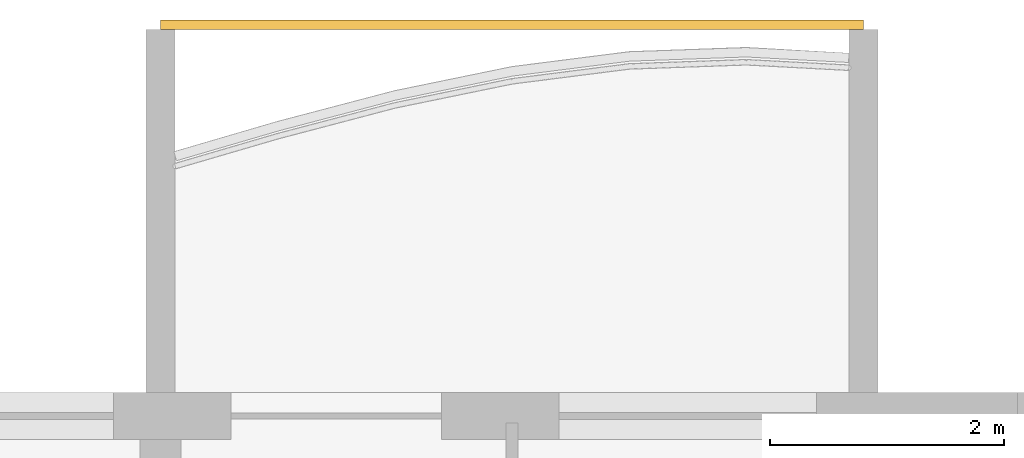
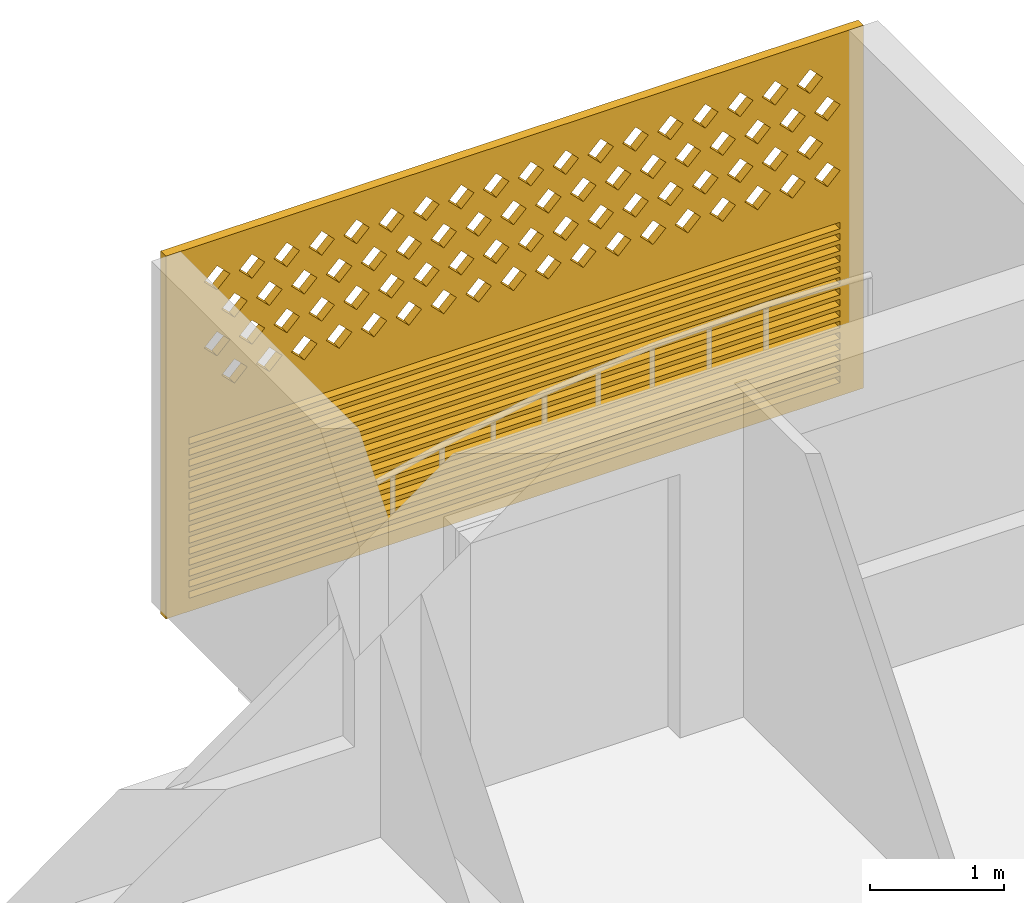
# One storey, part 24 of 24: 1 covering.
"""IFC4 building model written with IfcOpenShell, lengths in metres."""

from ifc_helpers import new_model, si_unit, direction, frame, origin, place, context, subcontext, project, spatial, polyline, outline, extrude, source, transform, mapped, material, material_profile, profile_set, type_object, element, save


model = new_model("IFC4")

# Units and contexts
model_context = context("Model", 3, precision=1e-05, world=origin(), true_north=direction((0.0, 1.0)))
body_context = subcontext(model_context, "Body", "Model", "MODEL_VIEW")
ifc_project = project(units=[si_unit("LENGTHUNIT", "METRE"), si_unit("AREAUNIT", "SQUARE_METRE"), si_unit("VOLUMEUNIT", "CUBIC_METRE"), si_unit("PLANEANGLEUNIT", "RADIAN"), si_unit("MASSUNIT", "GRAM", prefix="KILO")], contexts=[model_context])

# Site, building, storey
site_placement = place(None, origin())
site = spatial("IfcSite", under=ifc_project, at=site_placement, CompositionType="ELEMENT")
building_placement = place(site_placement, origin())
building = spatial("IfcBuilding", under=site, at=building_placement, Name="Poui Terraces", CompositionType="ELEMENT")
storey_placement = place(building_placement, frame((0.0, 0.0, 112.5)))
storey = spatial("IfcBuildingStorey", under=building, at=storey_placement, Name="L31", CompositionType="ELEMENT", Elevation=112.5)

# Covering
ifc_material = material(Name="Terracotta screen", Category="masonry")
ifc_material_profile = material_profile(ifc_material, outline(polyline([(-3.0, -1.64990234375), (3.0, -1.64990234375), (3.0, 1.64990234375), (-3.0, 1.64990234375), (-3.0, -1.64990234375)]), holes=[polyline([(-2.800048828125, 0.39990234375), (-2.68994140625, 0.2900390625), (-2.580078125, 0.39990234375), (-2.68994140625, 0.510009765625), (-2.800048828125, 0.39990234375)]), polyline([(-2.5, 0.39990234375), (-2.389892578125, 0.2900390625), (-2.280029296875, 0.39990234375), (-2.389892578125, 0.510009765625), (-2.5, 0.39990234375)]), polyline([(-2.199951171875, 0.39990234375), (-2.090087890625, 0.2900390625), (-1.97998046875, 0.39990234375), (-2.090087890625, 0.510009765625), (-2.199951171875, 0.39990234375)]), polyline([(-1.89990234375, 0.39990234375), (-1.7900390625, 0.2900390625), (-1.679931640625, 0.39990234375), (-1.7900390625, 0.510009765625), (-1.89990234375, 0.39990234375)]), polyline([(-1.60009765625, 0.39990234375), (-1.489990234375, 0.2900390625), (-1.3798828125, 0.39990234375), (-1.489990234375, 0.510009765625), (-1.60009765625, 0.39990234375)]), polyline([(-1.300048828125, 0.39990234375), (-1.18994140625, 0.2900390625), (-1.080078125, 0.39990234375), (-1.18994140625, 0.510009765625), (-1.300048828125, 0.39990234375)]), polyline([(-1.0, 0.39990234375), (-0.889892578125, 0.2900390625), (-0.780029296875, 0.39990234375), (-0.889892578125, 0.510009765625), (-1.0, 0.39990234375)]), polyline([(-0.699951171875, 0.39990234375), (-0.590087890625, 0.2900390625), (-0.47998046875, 0.39990234375), (-0.590087890625, 0.510009765625), (-0.699951171875, 0.39990234375)]), polyline([(-0.39990234375, 0.39990234375), (-0.2900390625, 0.2900390625), (-0.179931640625, 0.39990234375), (-0.2900390625, 0.510009765625), (-0.39990234375, 0.39990234375)]), polyline([(-0.10009765625, 0.39990234375), (0.010009765625, 0.2900390625), (0.1201171875, 0.39990234375), (0.010009765625, 0.510009765625), (-0.10009765625, 0.39990234375)]), polyline([(0.199951171875, 0.39990234375), (0.31005859375, 0.2900390625), (0.419921875, 0.39990234375), (0.31005859375, 0.510009765625), (0.199951171875, 0.39990234375)]), polyline([(0.5, 0.39990234375), (0.610107421875, 0.2900390625), (0.719970703125, 0.39990234375), (0.610107421875, 0.510009765625), (0.5, 0.39990234375)]), polyline([(0.800048828125, 0.39990234375), (0.909912109375, 0.2900390625), (1.02001953125, 0.39990234375), (0.909912109375, 0.510009765625), (0.800048828125, 0.39990234375)]), polyline([(1.10009765625, 0.39990234375), (1.2099609375, 0.2900390625), (1.320068359375, 0.39990234375), (1.2099609375, 0.510009765625), (1.10009765625, 0.39990234375)]), polyline([(1.39990234375, 0.39990234375), (1.510009765625, 0.2900390625), (1.6201171875, 0.39990234375), (1.510009765625, 0.510009765625), (1.39990234375, 0.39990234375)]), polyline([(1.699951171875, 0.39990234375), (1.81005859375, 0.2900390625), (1.919921875, 0.39990234375), (1.81005859375, 0.510009765625), (1.699951171875, 0.39990234375)]), polyline([(2.0, 0.39990234375), (2.110107421875, 0.2900390625), (2.219970703125, 0.39990234375), (2.110107421875, 0.510009765625), (2.0, 0.39990234375)]), polyline([(2.300048828125, 0.39990234375), (2.409912109375, 0.2900390625), (2.52001953125, 0.39990234375), (2.409912109375, 0.510009765625), (2.300048828125, 0.39990234375)]), polyline([(-2.64990234375, 0.699951171875), (-2.5400390625, 0.590087890625), (-2.429931640625, 0.699951171875), (-2.5400390625, 0.81005859375), (-2.64990234375, 0.699951171875)]), polyline([(-2.35009765625, 0.699951171875), (-2.239990234375, 0.590087890625), (-2.1298828125, 0.699951171875), (-2.239990234375, 0.81005859375), (-2.35009765625, 0.699951171875)]), polyline([(-2.050048828125, 0.699951171875), (-1.93994140625, 0.590087890625), (-1.830078125, 0.699951171875), (-1.93994140625, 0.81005859375), (-2.050048828125, 0.699951171875)]), polyline([(-1.75, 0.699951171875), (-1.639892578125, 0.590087890625), (-1.530029296875, 0.699951171875), (-1.639892578125, 0.81005859375), (-1.75, 0.699951171875)]), polyline([(-1.449951171875, 0.699951171875), (-1.340087890625, 0.590087890625), (-1.22998046875, 0.699951171875), (-1.340087890625, 0.81005859375), (-1.449951171875, 0.699951171875)]), polyline([(-1.14990234375, 0.699951171875), (-1.0400390625, 0.590087890625), (-0.929931640625, 0.699951171875), (-1.0400390625, 0.81005859375), (-1.14990234375, 0.699951171875)]), polyline([(-0.85009765625, 0.699951171875), (-0.739990234375, 0.590087890625), (-0.6298828125, 0.699951171875), (-0.739990234375, 0.81005859375), (-0.85009765625, 0.699951171875)]), polyline([(-0.550048828125, 0.699951171875), (-0.43994140625, 0.590087890625), (-0.330078125, 0.699951171875), (-0.43994140625, 0.81005859375), (-0.550048828125, 0.699951171875)]), polyline([(-0.25, 0.699951171875), (-0.139892578125, 0.590087890625), (-0.030029296875, 0.699951171875), (-0.139892578125, 0.81005859375), (-0.25, 0.699951171875)]), polyline([(0.050048828125, 0.699951171875), (0.159912109375, 0.590087890625), (0.27001953125, 0.699951171875), (0.159912109375, 0.81005859375), (0.050048828125, 0.699951171875)]), polyline([(0.35009765625, 0.699951171875), (0.4599609375, 0.590087890625), (0.570068359375, 0.699951171875), (0.4599609375, 0.81005859375), (0.35009765625, 0.699951171875)]), polyline([(0.64990234375, 0.699951171875), (0.760009765625, 0.590087890625), (0.8701171875, 0.699951171875), (0.760009765625, 0.81005859375), (0.64990234375, 0.699951171875)]), polyline([(0.949951171875, 0.699951171875), (1.06005859375, 0.590087890625), (1.169921875, 0.699951171875), (1.06005859375, 0.81005859375), (0.949951171875, 0.699951171875)]), polyline([(1.25, 0.699951171875), (1.360107421875, 0.590087890625), (1.469970703125, 0.699951171875), (1.360107421875, 0.81005859375), (1.25, 0.699951171875)]), polyline([(1.550048828125, 0.699951171875), (1.659912109375, 0.590087890625), (1.77001953125, 0.699951171875), (1.659912109375, 0.81005859375), (1.550048828125, 0.699951171875)]), polyline([(1.85009765625, 0.699951171875), (1.9599609375, 0.590087890625), (2.070068359375, 0.699951171875), (1.9599609375, 0.81005859375), (1.85009765625, 0.699951171875)]), polyline([(2.14990234375, 0.699951171875), (2.260009765625, 0.590087890625), (2.3701171875, 0.699951171875), (2.260009765625, 0.81005859375), (2.14990234375, 0.699951171875)]), polyline([(2.449951171875, 0.699951171875), (2.56005859375, 0.590087890625), (2.669921875, 0.699951171875), (2.56005859375, 0.81005859375), (2.449951171875, 0.699951171875)]), polyline([(-2.800048828125, 1.0), (-2.68994140625, 0.889892578125), (-2.580078125, 1.0), (-2.68994140625, 1.110107421875), (-2.800048828125, 1.0)]), polyline([(-2.5, 1.0), (-2.389892578125, 0.889892578125), (-2.280029296875, 1.0), (-2.389892578125, 1.110107421875), (-2.5, 1.0)]), polyline([(-2.199951171875, 1.0), (-2.090087890625, 0.889892578125), (-1.97998046875, 1.0), (-2.090087890625, 1.110107421875), (-2.199951171875, 1.0)]), polyline([(-1.89990234375, 1.0), (-1.7900390625, 0.889892578125), (-1.679931640625, 1.0), (-1.7900390625, 1.110107421875), (-1.89990234375, 1.0)]), polyline([(-1.60009765625, 1.0), (-1.489990234375, 0.889892578125), (-1.3798828125, 1.0), (-1.489990234375, 1.110107421875), (-1.60009765625, 1.0)]), polyline([(-1.300048828125, 1.0), (-1.18994140625, 0.889892578125), (-1.080078125, 1.0), (-1.18994140625, 1.110107421875), (-1.300048828125, 1.0)]), polyline([(-1.0, 1.0), (-0.889892578125, 0.889892578125), (-0.780029296875, 1.0), (-0.889892578125, 1.110107421875), (-1.0, 1.0)]), polyline([(-0.699951171875, 1.0), (-0.590087890625, 0.889892578125), (-0.47998046875, 1.0), (-0.590087890625, 1.110107421875), (-0.699951171875, 1.0)]), polyline([(-0.39990234375, 1.0), (-0.2900390625, 0.889892578125), (-0.179931640625, 1.0), (-0.2900390625, 1.110107421875), (-0.39990234375, 1.0)]), polyline([(-0.10009765625, 1.0), (0.010009765625, 0.889892578125), (0.1201171875, 1.0), (0.010009765625, 1.110107421875), (-0.10009765625, 1.0)]), polyline([(0.199951171875, 1.0), (0.31005859375, 0.889892578125), (0.419921875, 1.0), (0.31005859375, 1.110107421875), (0.199951171875, 1.0)]), polyline([(0.5, 1.0), (0.610107421875, 0.889892578125), (0.719970703125, 1.0), (0.610107421875, 1.110107421875), (0.5, 1.0)]), polyline([(0.800048828125, 1.0), (0.909912109375, 0.889892578125), (1.02001953125, 1.0), (0.909912109375, 1.110107421875), (0.800048828125, 1.0)]), polyline([(1.10009765625, 1.0), (1.2099609375, 0.889892578125), (1.320068359375, 1.0), (1.2099609375, 1.110107421875), (1.10009765625, 1.0)]), polyline([(1.39990234375, 1.0), (1.510009765625, 0.889892578125), (1.6201171875, 1.0), (1.510009765625, 1.110107421875), (1.39990234375, 1.0)]), polyline([(1.699951171875, 1.0), (1.81005859375, 0.889892578125), (1.919921875, 1.0), (1.81005859375, 1.110107421875), (1.699951171875, 1.0)]), polyline([(2.0, 1.0), (2.110107421875, 0.889892578125), (2.219970703125, 1.0), (2.110107421875, 1.110107421875), (2.0, 1.0)]), polyline([(2.300048828125, 1.0), (2.409912109375, 0.889892578125), (2.52001953125, 1.0), (2.409912109375, 1.110107421875), (2.300048828125, 1.0)]), polyline([(-2.64990234375, 1.300048828125), (-2.5400390625, 1.18994140625), (-2.429931640625, 1.300048828125), (-2.5400390625, 1.409912109375), (-2.64990234375, 1.300048828125)]), polyline([(-2.35009765625, 1.300048828125), (-2.239990234375, 1.18994140625), (-2.1298828125, 1.300048828125), (-2.239990234375, 1.409912109375), (-2.35009765625, 1.300048828125)]), polyline([(-2.050048828125, 1.300048828125), (-1.93994140625, 1.18994140625), (-1.830078125, 1.300048828125), (-1.93994140625, 1.409912109375), (-2.050048828125, 1.300048828125)]), polyline([(-1.75, 1.300048828125), (-1.639892578125, 1.18994140625), (-1.530029296875, 1.300048828125), (-1.639892578125, 1.409912109375), (-1.75, 1.300048828125)]), polyline([(-1.449951171875, 1.300048828125), (-1.340087890625, 1.18994140625), (-1.22998046875, 1.300048828125), (-1.340087890625, 1.409912109375), (-1.449951171875, 1.300048828125)]), polyline([(-1.14990234375, 1.300048828125), (-1.0400390625, 1.18994140625), (-0.929931640625, 1.300048828125), (-1.0400390625, 1.409912109375), (-1.14990234375, 1.300048828125)]), polyline([(-0.85009765625, 1.300048828125), (-0.739990234375, 1.18994140625), (-0.6298828125, 1.300048828125), (-0.739990234375, 1.409912109375), (-0.85009765625, 1.300048828125)]), polyline([(-0.550048828125, 1.300048828125), (-0.43994140625, 1.18994140625), (-0.330078125, 1.300048828125), (-0.43994140625, 1.409912109375), (-0.550048828125, 1.300048828125)]), polyline([(-0.25, 1.300048828125), (-0.139892578125, 1.18994140625), (-0.030029296875, 1.300048828125), (-0.139892578125, 1.409912109375), (-0.25, 1.300048828125)]), polyline([(0.050048828125, 1.300048828125), (0.159912109375, 1.18994140625), (0.27001953125, 1.300048828125), (0.159912109375, 1.409912109375), (0.050048828125, 1.300048828125)]), polyline([(0.35009765625, 1.300048828125), (0.4599609375, 1.18994140625), (0.570068359375, 1.300048828125), (0.4599609375, 1.409912109375), (0.35009765625, 1.300048828125)]), polyline([(0.64990234375, 1.300048828125), (0.760009765625, 1.18994140625), (0.8701171875, 1.300048828125), (0.760009765625, 1.409912109375), (0.64990234375, 1.300048828125)]), polyline([(0.949951171875, 1.300048828125), (1.06005859375, 1.18994140625), (1.169921875, 1.300048828125), (1.06005859375, 1.409912109375), (0.949951171875, 1.300048828125)]), polyline([(1.25, 1.300048828125), (1.360107421875, 1.18994140625), (1.469970703125, 1.300048828125), (1.360107421875, 1.409912109375), (1.25, 1.300048828125)]), polyline([(1.550048828125, 1.300048828125), (1.659912109375, 1.18994140625), (1.77001953125, 1.300048828125), (1.659912109375, 1.409912109375), (1.550048828125, 1.300048828125)]), polyline([(1.85009765625, 1.300048828125), (1.9599609375, 1.18994140625), (2.070068359375, 1.300048828125), (1.9599609375, 1.409912109375), (1.85009765625, 1.300048828125)]), polyline([(2.14990234375, 1.300048828125), (2.260009765625, 1.18994140625), (2.3701171875, 1.300048828125), (2.260009765625, 1.409912109375), (2.14990234375, 1.300048828125)]), polyline([(2.449951171875, 1.300048828125), (2.56005859375, 1.18994140625), (2.669921875, 1.300048828125), (2.56005859375, 1.409912109375), (2.449951171875, 1.300048828125)]), polyline([(-2.800048828125, -1.530029296875), (2.800048828125, -1.530029296875), (2.800048828125, -1.469970703125), (-2.800048828125, -1.469970703125), (-2.800048828125, -1.530029296875)]), polyline([(-2.800048828125, -1.429931640625), (2.800048828125, -1.429931640625), (2.800048828125, -1.3701171875), (-2.800048828125, -1.3701171875), (-2.800048828125, -1.429931640625)]), polyline([(-2.800048828125, -1.330078125), (2.800048828125, -1.330078125), (2.800048828125, -1.27001953125), (-2.800048828125, -1.27001953125), (-2.800048828125, -1.330078125)]), polyline([(-2.800048828125, -1.22998046875), (2.800048828125, -1.22998046875), (2.800048828125, -1.169921875), (-2.800048828125, -1.169921875), (-2.800048828125, -1.22998046875)]), polyline([(-2.800048828125, -1.1298828125), (2.800048828125, -1.1298828125), (2.800048828125, -1.070068359375), (-2.800048828125, -1.070068359375), (-2.800048828125, -1.1298828125)]), polyline([(-2.800048828125, -1.030029296875), (2.800048828125, -1.030029296875), (2.800048828125, -0.969970703125), (-2.800048828125, -0.969970703125), (-2.800048828125, -1.030029296875)]), polyline([(-2.800048828125, -0.929931640625), (2.800048828125, -0.929931640625), (2.800048828125, -0.8701171875), (-2.800048828125, -0.8701171875), (-2.800048828125, -0.929931640625)]), polyline([(-2.800048828125, -0.830078125), (2.800048828125, -0.830078125), (2.800048828125, -0.77001953125), (-2.800048828125, -0.77001953125), (-2.800048828125, -0.830078125)]), polyline([(-2.800048828125, -0.72998046875), (2.800048828125, -0.72998046875), (2.800048828125, -0.669921875), (-2.800048828125, -0.669921875), (-2.800048828125, -0.72998046875)]), polyline([(-2.800048828125, -0.6298828125), (2.800048828125, -0.6298828125), (2.800048828125, -0.570068359375), (-2.800048828125, -0.570068359375), (-2.800048828125, -0.6298828125)]), polyline([(-2.800048828125, -0.530029296875), (2.800048828125, -0.530029296875), (2.800048828125, -0.469970703125), (-2.800048828125, -0.469970703125), (-2.800048828125, -0.530029296875)]), polyline([(-2.800048828125, -0.429931640625), (2.800048828125, -0.429931640625), (2.800048828125, -0.3701171875), (-2.800048828125, -0.3701171875), (-2.800048828125, -0.429931640625)]), polyline([(-2.800048828125, -0.330078125), (2.800048828125, -0.330078125), (2.800048828125, -0.27001953125), (-2.800048828125, -0.27001953125), (-2.800048828125, -0.330078125)]), polyline([(-2.800048828125, -0.22998046875), (2.800048828125, -0.22998046875), (2.800048828125, -0.169921875), (-2.800048828125, -0.169921875), (-2.800048828125, -0.22998046875)]), polyline([(-2.800048828125, -0.1298828125), (2.800048828125, -0.1298828125), (2.800048828125, -0.070068359375), (-2.800048828125, -0.070068359375), (-2.800048828125, -0.1298828125)])]), Name="TERRACOTTA SCREEN AND JALOUSIE LOUVRE 6000X3300")
ifc_profile_set = profile_set([ifc_material_profile], Name="Terracotta screen")
covering_type = type_object("IfcCoveringType", Name="TERRACOTTA SCREEN AND JALOUSIE LOUVRE 6000X3300", PredefinedType="CLADDING", material=ifc_profile_set)
shared_shape = source(origin(), body_context, "Body", "SweptSolid", [
    extrude(outline(polyline([(-3.0, -1.64990234375), (3.0, -1.64990234375), (3.0, 1.64990234375), (-3.0, 1.64990234375), (-3.0, -1.64990234375)]), holes=[polyline([(-2.800048828125, 0.39990234375), (-2.68994140625, 0.2900390625), (-2.580078125, 0.39990234375), (-2.68994140625, 0.510009765625), (-2.800048828125, 0.39990234375)]), polyline([(-2.5, 0.39990234375), (-2.389892578125, 0.2900390625), (-2.280029296875, 0.39990234375), (-2.389892578125, 0.510009765625), (-2.5, 0.39990234375)]), polyline([(-2.199951171875, 0.39990234375), (-2.090087890625, 0.2900390625), (-1.97998046875, 0.39990234375), (-2.090087890625, 0.510009765625), (-2.199951171875, 0.39990234375)]), polyline([(-1.89990234375, 0.39990234375), (-1.7900390625, 0.2900390625), (-1.679931640625, 0.39990234375), (-1.7900390625, 0.510009765625), (-1.89990234375, 0.39990234375)]), polyline([(-1.60009765625, 0.39990234375), (-1.489990234375, 0.2900390625), (-1.3798828125, 0.39990234375), (-1.489990234375, 0.510009765625), (-1.60009765625, 0.39990234375)]), polyline([(-1.300048828125, 0.39990234375), (-1.18994140625, 0.2900390625), (-1.080078125, 0.39990234375), (-1.18994140625, 0.510009765625), (-1.300048828125, 0.39990234375)]), polyline([(-1.0, 0.39990234375), (-0.889892578125, 0.2900390625), (-0.780029296875, 0.39990234375), (-0.889892578125, 0.510009765625), (-1.0, 0.39990234375)]), polyline([(-0.699951171875, 0.39990234375), (-0.590087890625, 0.2900390625), (-0.47998046875, 0.39990234375), (-0.590087890625, 0.510009765625), (-0.699951171875, 0.39990234375)]), polyline([(-0.39990234375, 0.39990234375), (-0.2900390625, 0.2900390625), (-0.179931640625, 0.39990234375), (-0.2900390625, 0.510009765625), (-0.39990234375, 0.39990234375)]), polyline([(-0.10009765625, 0.39990234375), (0.010009765625, 0.2900390625), (0.1201171875, 0.39990234375), (0.010009765625, 0.510009765625), (-0.10009765625, 0.39990234375)]), polyline([(0.199951171875, 0.39990234375), (0.31005859375, 0.2900390625), (0.419921875, 0.39990234375), (0.31005859375, 0.510009765625), (0.199951171875, 0.39990234375)]), polyline([(0.5, 0.39990234375), (0.610107421875, 0.2900390625), (0.719970703125, 0.39990234375), (0.610107421875, 0.510009765625), (0.5, 0.39990234375)]), polyline([(0.800048828125, 0.39990234375), (0.909912109375, 0.2900390625), (1.02001953125, 0.39990234375), (0.909912109375, 0.510009765625), (0.800048828125, 0.39990234375)]), polyline([(1.10009765625, 0.39990234375), (1.2099609375, 0.2900390625), (1.320068359375, 0.39990234375), (1.2099609375, 0.510009765625), (1.10009765625, 0.39990234375)]), polyline([(1.39990234375, 0.39990234375), (1.510009765625, 0.2900390625), (1.6201171875, 0.39990234375), (1.510009765625, 0.510009765625), (1.39990234375, 0.39990234375)]), polyline([(1.699951171875, 0.39990234375), (1.81005859375, 0.2900390625), (1.919921875, 0.39990234375), (1.81005859375, 0.510009765625), (1.699951171875, 0.39990234375)]), polyline([(2.0, 0.39990234375), (2.110107421875, 0.2900390625), (2.219970703125, 0.39990234375), (2.110107421875, 0.510009765625), (2.0, 0.39990234375)]), polyline([(2.300048828125, 0.39990234375), (2.409912109375, 0.2900390625), (2.52001953125, 0.39990234375), (2.409912109375, 0.510009765625), (2.300048828125, 0.39990234375)]), polyline([(-2.64990234375, 0.699951171875), (-2.5400390625, 0.590087890625), (-2.429931640625, 0.699951171875), (-2.5400390625, 0.81005859375), (-2.64990234375, 0.699951171875)]), polyline([(-2.35009765625, 0.699951171875), (-2.239990234375, 0.590087890625), (-2.1298828125, 0.699951171875), (-2.239990234375, 0.81005859375), (-2.35009765625, 0.699951171875)]), polyline([(-2.050048828125, 0.699951171875), (-1.93994140625, 0.590087890625), (-1.830078125, 0.699951171875), (-1.93994140625, 0.81005859375), (-2.050048828125, 0.699951171875)]), polyline([(-1.75, 0.699951171875), (-1.639892578125, 0.590087890625), (-1.530029296875, 0.699951171875), (-1.639892578125, 0.81005859375), (-1.75, 0.699951171875)]), polyline([(-1.449951171875, 0.699951171875), (-1.340087890625, 0.590087890625), (-1.22998046875, 0.699951171875), (-1.340087890625, 0.81005859375), (-1.449951171875, 0.699951171875)]), polyline([(-1.14990234375, 0.699951171875), (-1.0400390625, 0.590087890625), (-0.929931640625, 0.699951171875), (-1.0400390625, 0.81005859375), (-1.14990234375, 0.699951171875)]), polyline([(-0.85009765625, 0.699951171875), (-0.739990234375, 0.590087890625), (-0.6298828125, 0.699951171875), (-0.739990234375, 0.81005859375), (-0.85009765625, 0.699951171875)]), polyline([(-0.550048828125, 0.699951171875), (-0.43994140625, 0.590087890625), (-0.330078125, 0.699951171875), (-0.43994140625, 0.81005859375), (-0.550048828125, 0.699951171875)]), polyline([(-0.25, 0.699951171875), (-0.139892578125, 0.590087890625), (-0.030029296875, 0.699951171875), (-0.139892578125, 0.81005859375), (-0.25, 0.699951171875)]), polyline([(0.050048828125, 0.699951171875), (0.159912109375, 0.590087890625), (0.27001953125, 0.699951171875), (0.159912109375, 0.81005859375), (0.050048828125, 0.699951171875)]), polyline([(0.35009765625, 0.699951171875), (0.4599609375, 0.590087890625), (0.570068359375, 0.699951171875), (0.4599609375, 0.81005859375), (0.35009765625, 0.699951171875)]), polyline([(0.64990234375, 0.699951171875), (0.760009765625, 0.590087890625), (0.8701171875, 0.699951171875), (0.760009765625, 0.81005859375), (0.64990234375, 0.699951171875)]), polyline([(0.949951171875, 0.699951171875), (1.06005859375, 0.590087890625), (1.169921875, 0.699951171875), (1.06005859375, 0.81005859375), (0.949951171875, 0.699951171875)]), polyline([(1.25, 0.699951171875), (1.360107421875, 0.590087890625), (1.469970703125, 0.699951171875), (1.360107421875, 0.81005859375), (1.25, 0.699951171875)]), polyline([(1.550048828125, 0.699951171875), (1.659912109375, 0.590087890625), (1.77001953125, 0.699951171875), (1.659912109375, 0.81005859375), (1.550048828125, 0.699951171875)]), polyline([(1.85009765625, 0.699951171875), (1.9599609375, 0.590087890625), (2.070068359375, 0.699951171875), (1.9599609375, 0.81005859375), (1.85009765625, 0.699951171875)]), polyline([(2.14990234375, 0.699951171875), (2.260009765625, 0.590087890625), (2.3701171875, 0.699951171875), (2.260009765625, 0.81005859375), (2.14990234375, 0.699951171875)]), polyline([(2.449951171875, 0.699951171875), (2.56005859375, 0.590087890625), (2.669921875, 0.699951171875), (2.56005859375, 0.81005859375), (2.449951171875, 0.699951171875)]), polyline([(-2.800048828125, 1.0), (-2.68994140625, 0.889892578125), (-2.580078125, 1.0), (-2.68994140625, 1.110107421875), (-2.800048828125, 1.0)]), polyline([(-2.5, 1.0), (-2.389892578125, 0.889892578125), (-2.280029296875, 1.0), (-2.389892578125, 1.110107421875), (-2.5, 1.0)]), polyline([(-2.199951171875, 1.0), (-2.090087890625, 0.889892578125), (-1.97998046875, 1.0), (-2.090087890625, 1.110107421875), (-2.199951171875, 1.0)]), polyline([(-1.89990234375, 1.0), (-1.7900390625, 0.889892578125), (-1.679931640625, 1.0), (-1.7900390625, 1.110107421875), (-1.89990234375, 1.0)]), polyline([(-1.60009765625, 1.0), (-1.489990234375, 0.889892578125), (-1.3798828125, 1.0), (-1.489990234375, 1.110107421875), (-1.60009765625, 1.0)]), polyline([(-1.300048828125, 1.0), (-1.18994140625, 0.889892578125), (-1.080078125, 1.0), (-1.18994140625, 1.110107421875), (-1.300048828125, 1.0)]), polyline([(-1.0, 1.0), (-0.889892578125, 0.889892578125), (-0.780029296875, 1.0), (-0.889892578125, 1.110107421875), (-1.0, 1.0)]), polyline([(-0.699951171875, 1.0), (-0.590087890625, 0.889892578125), (-0.47998046875, 1.0), (-0.590087890625, 1.110107421875), (-0.699951171875, 1.0)]), polyline([(-0.39990234375, 1.0), (-0.2900390625, 0.889892578125), (-0.179931640625, 1.0), (-0.2900390625, 1.110107421875), (-0.39990234375, 1.0)]), polyline([(-0.10009765625, 1.0), (0.010009765625, 0.889892578125), (0.1201171875, 1.0), (0.010009765625, 1.110107421875), (-0.10009765625, 1.0)]), polyline([(0.199951171875, 1.0), (0.31005859375, 0.889892578125), (0.419921875, 1.0), (0.31005859375, 1.110107421875), (0.199951171875, 1.0)]), polyline([(0.5, 1.0), (0.610107421875, 0.889892578125), (0.719970703125, 1.0), (0.610107421875, 1.110107421875), (0.5, 1.0)]), polyline([(0.800048828125, 1.0), (0.909912109375, 0.889892578125), (1.02001953125, 1.0), (0.909912109375, 1.110107421875), (0.800048828125, 1.0)]), polyline([(1.10009765625, 1.0), (1.2099609375, 0.889892578125), (1.320068359375, 1.0), (1.2099609375, 1.110107421875), (1.10009765625, 1.0)]), polyline([(1.39990234375, 1.0), (1.510009765625, 0.889892578125), (1.6201171875, 1.0), (1.510009765625, 1.110107421875), (1.39990234375, 1.0)]), polyline([(1.699951171875, 1.0), (1.81005859375, 0.889892578125), (1.919921875, 1.0), (1.81005859375, 1.110107421875), (1.699951171875, 1.0)]), polyline([(2.0, 1.0), (2.110107421875, 0.889892578125), (2.219970703125, 1.0), (2.110107421875, 1.110107421875), (2.0, 1.0)]), polyline([(2.300048828125, 1.0), (2.409912109375, 0.889892578125), (2.52001953125, 1.0), (2.409912109375, 1.110107421875), (2.300048828125, 1.0)]), polyline([(-2.64990234375, 1.300048828125), (-2.5400390625, 1.18994140625), (-2.429931640625, 1.300048828125), (-2.5400390625, 1.409912109375), (-2.64990234375, 1.300048828125)]), polyline([(-2.35009765625, 1.300048828125), (-2.239990234375, 1.18994140625), (-2.1298828125, 1.300048828125), (-2.239990234375, 1.409912109375), (-2.35009765625, 1.300048828125)]), polyline([(-2.050048828125, 1.300048828125), (-1.93994140625, 1.18994140625), (-1.830078125, 1.300048828125), (-1.93994140625, 1.409912109375), (-2.050048828125, 1.300048828125)]), polyline([(-1.75, 1.300048828125), (-1.639892578125, 1.18994140625), (-1.530029296875, 1.300048828125), (-1.639892578125, 1.409912109375), (-1.75, 1.300048828125)]), polyline([(-1.449951171875, 1.300048828125), (-1.340087890625, 1.18994140625), (-1.22998046875, 1.300048828125), (-1.340087890625, 1.409912109375), (-1.449951171875, 1.300048828125)]), polyline([(-1.14990234375, 1.300048828125), (-1.0400390625, 1.18994140625), (-0.929931640625, 1.300048828125), (-1.0400390625, 1.409912109375), (-1.14990234375, 1.300048828125)]), polyline([(-0.85009765625, 1.300048828125), (-0.739990234375, 1.18994140625), (-0.6298828125, 1.300048828125), (-0.739990234375, 1.409912109375), (-0.85009765625, 1.300048828125)]), polyline([(-0.550048828125, 1.300048828125), (-0.43994140625, 1.18994140625), (-0.330078125, 1.300048828125), (-0.43994140625, 1.409912109375), (-0.550048828125, 1.300048828125)]), polyline([(-0.25, 1.300048828125), (-0.139892578125, 1.18994140625), (-0.030029296875, 1.300048828125), (-0.139892578125, 1.409912109375), (-0.25, 1.300048828125)]), polyline([(0.050048828125, 1.300048828125), (0.159912109375, 1.18994140625), (0.27001953125, 1.300048828125), (0.159912109375, 1.409912109375), (0.050048828125, 1.300048828125)]), polyline([(0.35009765625, 1.300048828125), (0.4599609375, 1.18994140625), (0.570068359375, 1.300048828125), (0.4599609375, 1.409912109375), (0.35009765625, 1.300048828125)]), polyline([(0.64990234375, 1.300048828125), (0.760009765625, 1.18994140625), (0.8701171875, 1.300048828125), (0.760009765625, 1.409912109375), (0.64990234375, 1.300048828125)]), polyline([(0.949951171875, 1.300048828125), (1.06005859375, 1.18994140625), (1.169921875, 1.300048828125), (1.06005859375, 1.409912109375), (0.949951171875, 1.300048828125)]), polyline([(1.25, 1.300048828125), (1.360107421875, 1.18994140625), (1.469970703125, 1.300048828125), (1.360107421875, 1.409912109375), (1.25, 1.300048828125)]), polyline([(1.550048828125, 1.300048828125), (1.659912109375, 1.18994140625), (1.77001953125, 1.300048828125), (1.659912109375, 1.409912109375), (1.550048828125, 1.300048828125)]), polyline([(1.85009765625, 1.300048828125), (1.9599609375, 1.18994140625), (2.070068359375, 1.300048828125), (1.9599609375, 1.409912109375), (1.85009765625, 1.300048828125)]), polyline([(2.14990234375, 1.300048828125), (2.260009765625, 1.18994140625), (2.3701171875, 1.300048828125), (2.260009765625, 1.409912109375), (2.14990234375, 1.300048828125)]), polyline([(2.449951171875, 1.300048828125), (2.56005859375, 1.18994140625), (2.669921875, 1.300048828125), (2.56005859375, 1.409912109375), (2.449951171875, 1.300048828125)]), polyline([(-2.800048828125, -1.530029296875), (2.800048828125, -1.530029296875), (2.800048828125, -1.469970703125), (-2.800048828125, -1.469970703125), (-2.800048828125, -1.530029296875)]), polyline([(-2.800048828125, -1.429931640625), (2.800048828125, -1.429931640625), (2.800048828125, -1.3701171875), (-2.800048828125, -1.3701171875), (-2.800048828125, -1.429931640625)]), polyline([(-2.800048828125, -1.330078125), (2.800048828125, -1.330078125), (2.800048828125, -1.27001953125), (-2.800048828125, -1.27001953125), (-2.800048828125, -1.330078125)]), polyline([(-2.800048828125, -1.22998046875), (2.800048828125, -1.22998046875), (2.800048828125, -1.169921875), (-2.800048828125, -1.169921875), (-2.800048828125, -1.22998046875)]), polyline([(-2.800048828125, -1.1298828125), (2.800048828125, -1.1298828125), (2.800048828125, -1.070068359375), (-2.800048828125, -1.070068359375), (-2.800048828125, -1.1298828125)]), polyline([(-2.800048828125, -1.030029296875), (2.800048828125, -1.030029296875), (2.800048828125, -0.969970703125), (-2.800048828125, -0.969970703125), (-2.800048828125, -1.030029296875)]), polyline([(-2.800048828125, -0.929931640625), (2.800048828125, -0.929931640625), (2.800048828125, -0.8701171875), (-2.800048828125, -0.8701171875), (-2.800048828125, -0.929931640625)]), polyline([(-2.800048828125, -0.830078125), (2.800048828125, -0.830078125), (2.800048828125, -0.77001953125), (-2.800048828125, -0.77001953125), (-2.800048828125, -0.830078125)]), polyline([(-2.800048828125, -0.72998046875), (2.800048828125, -0.72998046875), (2.800048828125, -0.669921875), (-2.800048828125, -0.669921875), (-2.800048828125, -0.72998046875)]), polyline([(-2.800048828125, -0.6298828125), (2.800048828125, -0.6298828125), (2.800048828125, -0.570068359375), (-2.800048828125, -0.570068359375), (-2.800048828125, -0.6298828125)]), polyline([(-2.800048828125, -0.530029296875), (2.800048828125, -0.530029296875), (2.800048828125, -0.469970703125), (-2.800048828125, -0.469970703125), (-2.800048828125, -0.530029296875)]), polyline([(-2.800048828125, -0.429931640625), (2.800048828125, -0.429931640625), (2.800048828125, -0.3701171875), (-2.800048828125, -0.3701171875), (-2.800048828125, -0.429931640625)]), polyline([(-2.800048828125, -0.330078125), (2.800048828125, -0.330078125), (2.800048828125, -0.27001953125), (-2.800048828125, -0.27001953125), (-2.800048828125, -0.330078125)]), polyline([(-2.800048828125, -0.22998046875), (2.800048828125, -0.22998046875), (2.800048828125, -0.169921875), (-2.800048828125, -0.169921875), (-2.800048828125, -0.22998046875)]), polyline([(-2.800048828125, -0.1298828125), (2.800048828125, -0.1298828125), (2.800048828125, -0.070068359375), (-2.800048828125, -0.070068359375), (-2.800048828125, -0.1298828125)])]), origin(), (0.0, 0.0, 1.0), 0.080078125),
])
covering_placement = place(storey_placement, frame((81.0, 46.89990234375, 1.449951171875), z_axis=(0.0, 1.0, 0.0), x_axis=(-1.0, 0.0, 0.0)))
element("IfcCovering", 1, at=covering_placement, inside=storey, type_object=covering_type, Name="SOLAR SCREEN AND JALOUSIE LOUVRE", PredefinedType="CLADDING", context=body_context, shape_type="MappedRepresentation", body=[
    mapped(shared_shape, transform((0.0, 0.0, 0.0))),
])

save(model, "model.ifc")
